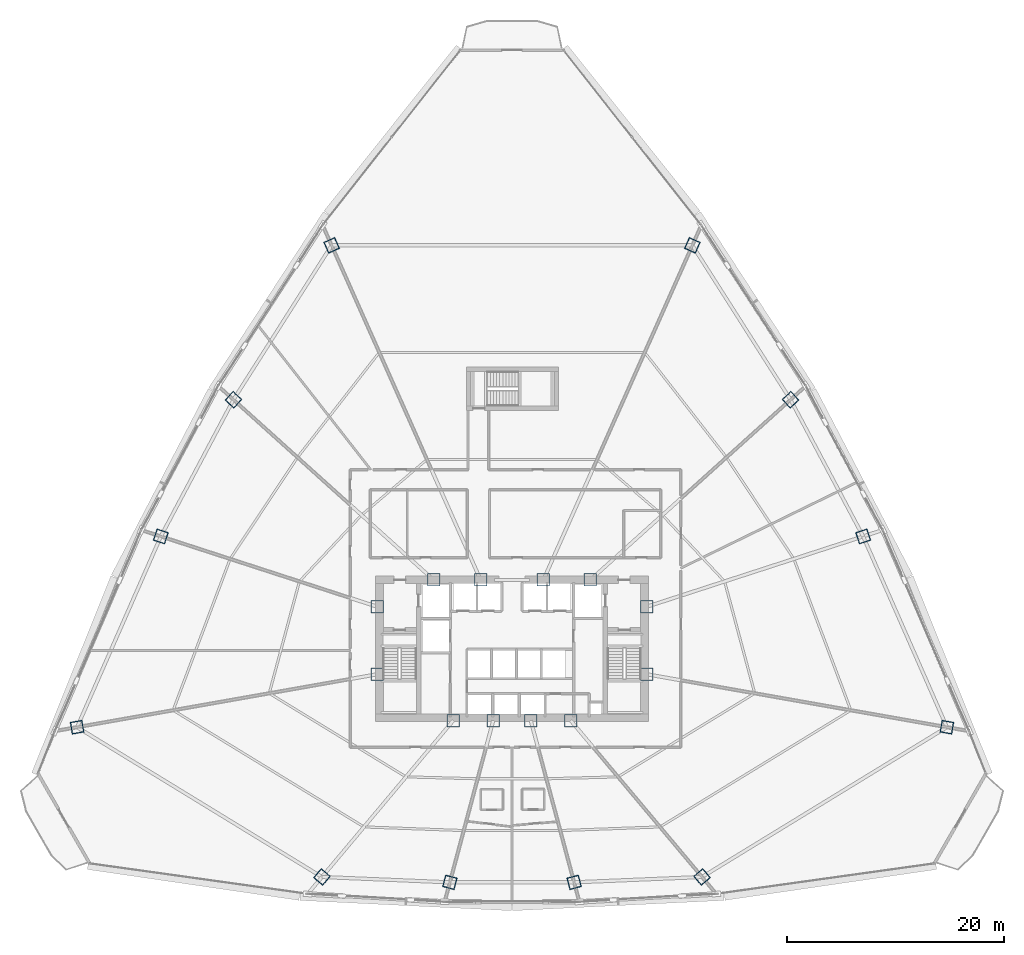
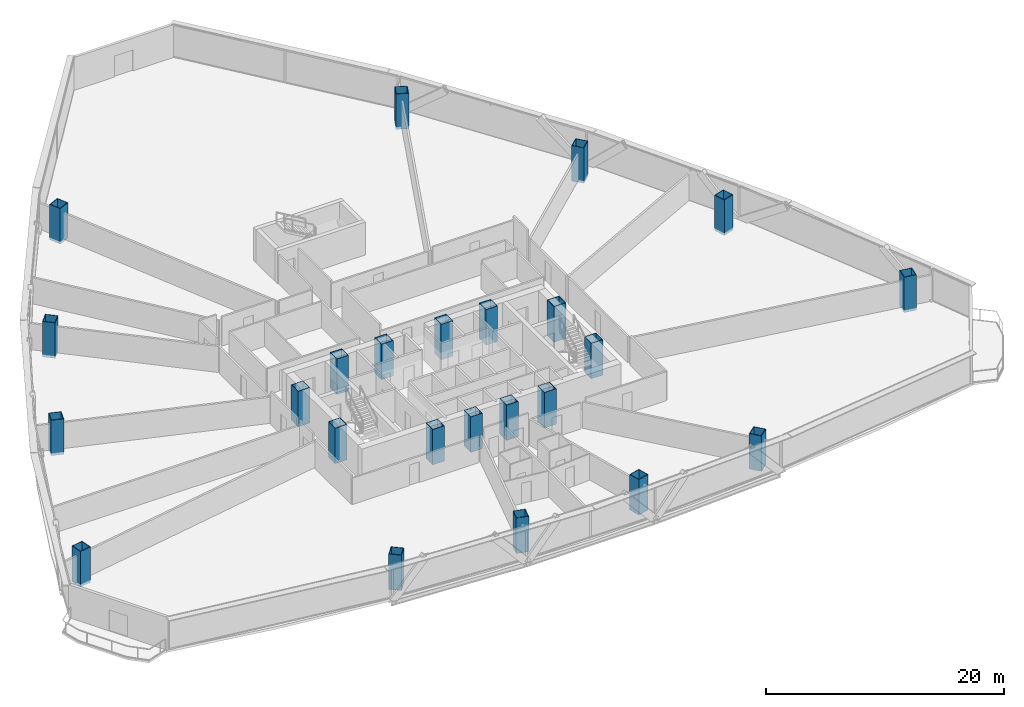
# One storey, part 1 of 38: 24 columns.
"""IFC4 building model written with IfcOpenShell, lengths in metres."""

from ifc_helpers import new_model, si_unit, direction, frame, origin, origin_2d, place, context, subcontext, project, spatial, hollow_rectangle, extrude, source, transform, mapped, material, material_profile, profile_set, type_object, element, save


model = new_model("IFC4")

# Units and contexts
model_context = context("Model", 3, precision=1e-05, world=origin(), true_north=direction((0.0, 1.0)))
body_context = subcontext(model_context, "Body", "Model", "MODEL_VIEW")
ifc_project = project(units=[si_unit("LENGTHUNIT", "METRE"), si_unit("AREAUNIT", "SQUARE_METRE"), si_unit("VOLUMEUNIT", "CUBIC_METRE"), si_unit("PLANEANGLEUNIT", "RADIAN"), si_unit("MASSUNIT", "GRAM", prefix="KILO"), si_unit("THERMODYNAMICTEMPERATUREUNIT", "KELVIN"), si_unit("POWERUNIT", "WATT")], contexts=[model_context])

# Site, building, storey
site_placement = place(None, origin())
site = spatial("IfcSite", under=ifc_project, at=site_placement, CompositionType="ELEMENT")
building_placement = place(site_placement, origin())
building = spatial("IfcBuilding", under=site, at=building_placement, Name="Yunzhuo Pagoda Commons", CompositionType="ELEMENT")
storey_placement = place(building_placement, frame((0.0, 0.0, 34.030029296875)))
storey = spatial("IfcBuildingStorey", under=building, at=storey_placement, Name="L08", CompositionType="ELEMENT", Elevation=34.030029296875)

# Columns
ifc_material = material(Name="Structural steel Q420B", Category="steel")
ifc_material_profile_1 = material_profile(ifc_material, hollow_rectangle(XDim=1.14990234375, YDim=1.14990234375, WallThickness=0.048095703125, at=origin_2d()), Name="Structural steel Q420B")
ifc_profile_set_1 = profile_set([ifc_material_profile_1], Name="Structural steel Q420B")
column_type_1 = type_object("IfcColumnType", Name="C-COR Column BOX 1150x1150x48", PredefinedType="COLUMN", material=ifc_profile_set_1)
shared_shape_1 = source(origin(), body_context, "Body", "SweptSolid", [
    extrude(hollow_rectangle(XDim=1.14990234375, YDim=1.14990234375, WallThickness=0.048095703125, at=origin_2d()), origin(), (0.0, 0.0, 1.0), 3.629638671875),
])
for number, where, z_axis, x_axis, name in (
    (1, (42.587890625, 27.25, -0.259765625), (0.0, 0.0, 1.0), (1.0, 0.0, 0.0), "L08 core composite column F1C1"),
    (2, (46.27197265625, 27.25, -0.259765625), (0.0, 0.0, 1.0), (1.0, 0.0, 0.0), "L08 core composite column F1C2"),
    (3, (49.728515625, 27.25, -0.259765625), (0.0, 0.0, 1.0), (1.0, 0.0, 0.0), "L08 core composite column F1C3"),
    (4, (53.412109375, 27.25, -0.259765625), (0.0, 0.0, 1.0), (1.0, 0.0, 0.0), "L08 core composite column F1C4"),
    (5, (60.39990234375, 31.513427734375, -0.259765625), (0.0, 0.0, 1.0), (1.0, 0.0, 0.0), "L08 core composite column F2C1"),
    (6, (60.39990234375, 37.72900390625, -0.259765625), (0.0, 0.0, 1.0), (1.0, 0.0, 0.0), "L08 core composite column F2C2"),
    (7, (55.218994140625, 40.199951171875, -0.259765625), (0.0, 0.0, 1.0), (1.0, 0.0, 0.0), "L08 core composite column F2C3"),
    (8, (50.89404296875, 40.199951171875, -0.259765625), (0.0, 0.0, 1.0), (1.0, 0.0, 0.0), "L08 core composite column F2C4"),
    (9, (45.10595703125, 40.199951171875, -0.259765625), (0.0, 0.0, 1.0), (1.0, 0.0, 0.0), "L08 core composite column F3C1"),
    (10, (40.781005859375, 40.199951171875, -0.259765625), (0.0, 0.0, 1.0), (1.0, 0.0, 0.0), "L08 core composite column F3C2"),
    (11, (35.60009765625, 37.72900390625, -0.259765625), (0.0, 0.0, 1.0), (1.0, 0.0, 0.0), "L08 core composite column F3C3"),
    (12, (35.60009765625, 31.513427734375, -0.259765625), (0.0, 0.0, 1.0), (1.0, 0.0, 0.0), "L08 core composite column F3C4"),
):
    element("IfcColumn", number, at=place(storey_placement, frame(where, z_axis=z_axis, x_axis=x_axis)), inside=storey, type_object=column_type_1, Name=name, PredefinedType="COLUMN", context=body_context, shape_type="MappedRepresentation", body=[
        mapped(shared_shape_1, transform((0.0, 0.0, 0.0), scale=1.0)),
    ])
ifc_material_profile_2 = material_profile(ifc_material, hollow_rectangle(XDim=1.10009765625, YDim=1.10009765625, WallThickness=0.044921875, at=origin_2d()), Name="Structural steel Q420B")
ifc_profile_set_2 = profile_set([ifc_material_profile_2], Name="Structural steel Q420B")
column_type_2 = type_object("IfcColumnType", Name="C-Z1 Column BOX 1100x1100x45", PredefinedType="COLUMN", material=ifc_profile_set_2)
shared_shape_2 = source(origin(), body_context, "Body", "SweptSolid", [
    extrude(hollow_rectangle(XDim=1.10009765625, YDim=1.10009765625, WallThickness=0.044921875, at=origin_2d()), origin(), (0.0, 0.0, 1.0), 3.629638671875),
])
for number, where, z_axis, x_axis, name in (
    (13, (30.5, 12.844482421875, -0.259765625), (0.0, 0.0, 1.0), (0.766044443119, -0.642787609687, 0.0), "L08 tower column F1C1"),
    (14, (42.27978515625, 12.35205078125, -0.259765625), (0.0, 0.0, 1.0), (0.965925826289, -0.258819045103, 0.0), "L08 tower column F1C2"),
    (15, (53.72021484375, 12.35205078125, -0.259765625), (0.0, 0.0, 1.0), (0.965925826289, 0.258819045103, 0.0), "L08 tower column F1C3"),
    (16, (65.5, 12.844482421875, -0.259765625), (0.0, 0.0, 1.0), (0.766044443119, 0.642787609687, 0.0), "L08 tower column F1C4"),
    (17, (88.047607421875, 26.638427734375, -0.259765625), (0.0, 0.0, 1.0), (0.173648177667, 0.984807753012, 0.0), "L08 tower column F2C1"),
    (18, (80.33544921875, 44.206298828125, -0.259765625), (0.0, 0.0, 1.0), (-0.309016994375, 0.951056516295, 0.0), "L08 tower column F2C2"),
    (19, (73.648681640625, 56.79443359375, -0.259765625), (0.0, 0.0, 1.0), (-0.669130606359, 0.743144825477, 0.0), "L08 tower column F2C3"),
    (20, (64.61083984375, 71.008544921875, -0.259765625), (0.0, 0.0, 1.0), (-0.913545457643, 0.406736643076, 0.0), "L08 tower column F2C4"),
    (21, (31.38916015625, 71.008544921875, -0.259765625), (0.0, 0.0, 1.0), (-0.913545457643, -0.406736643076, 0.0), "L08 tower column F3C1"),
    (22, (22.351318359375, 56.79443359375, -0.259765625), (0.0, 0.0, 1.0), (-0.669130606359, -0.743144825477, 0.0), "L08 tower column F3C2"),
    (23, (15.66455078125, 44.206298828125, -0.259765625), (0.0, 0.0, 1.0), (-0.309016994375, -0.951056516295, 0.0), "L08 tower column F3C3"),
    (24, (7.952392578125, 26.638427734375, -0.259765625), (0.0, 0.0, 1.0), (0.173648177667, -0.984807753012, 0.0), "L08 tower column F3C4"),
):
    element("IfcColumn", number, at=place(storey_placement, frame(where, z_axis=z_axis, x_axis=x_axis)), inside=storey, type_object=column_type_2, Name=name, PredefinedType="COLUMN", context=body_context, shape_type="MappedRepresentation", body=[
        mapped(shared_shape_2, transform((0.0, 0.0, 0.0), scale=1.0)),
    ])

save(model, "model.ifc")
